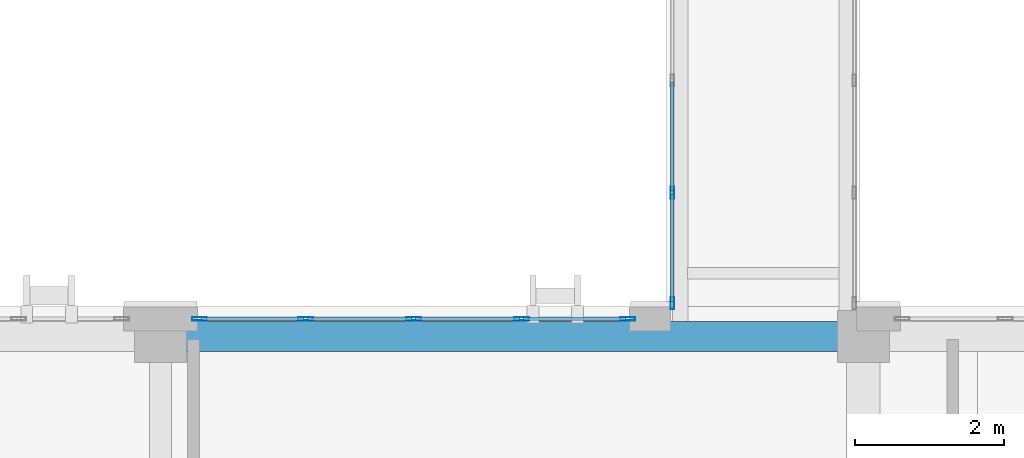
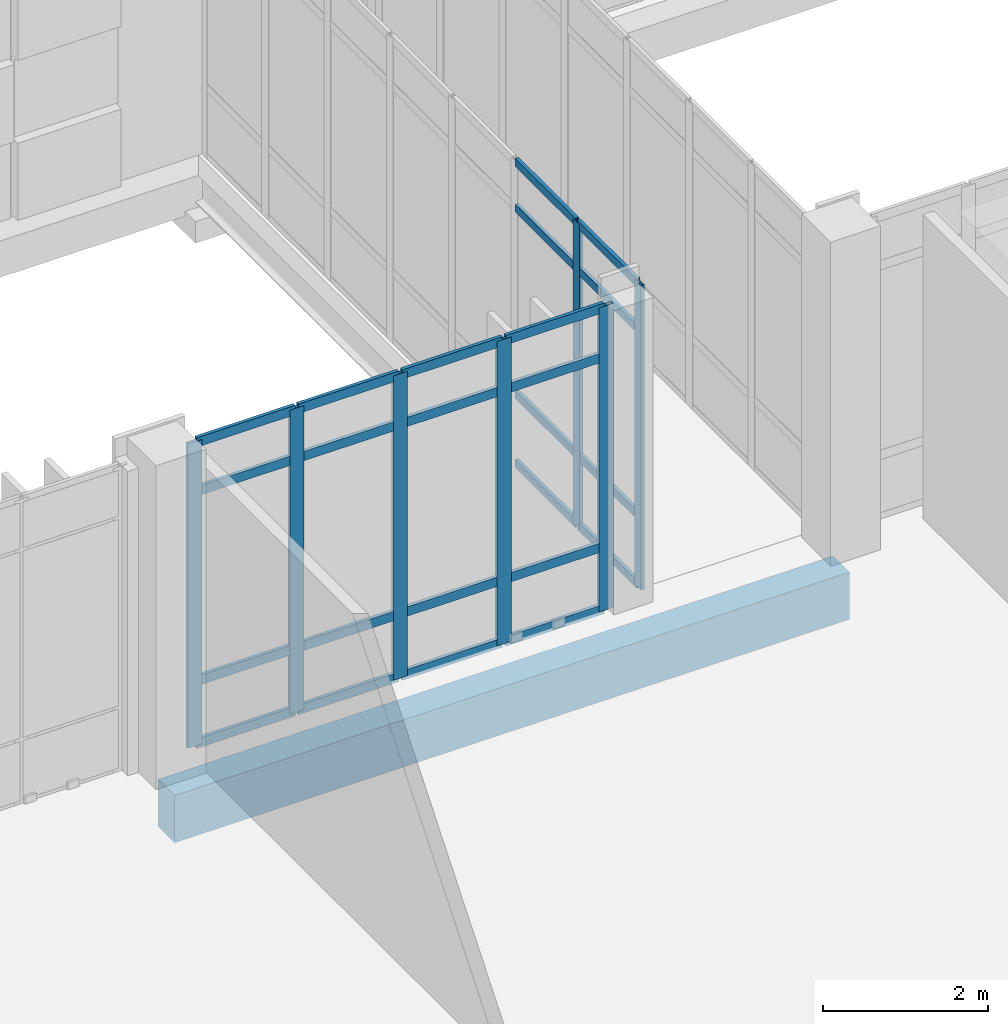
# One storey, part 40 of 189: 31 members, 1 beam, 2 elements without a shape of their own.
"""IFC4 building model written with IfcOpenShell, lengths in metres."""

import ifcopenshell
import ifcopenshell.guid

model = None  # the IFC model being written
_history = None  # IfcOwnerHistory: only IFC2X3 demands one
_inside = {}  # id of a spatial element -> (the spatial element, [elements in it])
_under = {}  # id of a project, library or spatial element -> (it, [spatial elements below it])
_declared = {}  # id of a project -> (the project, [libraries it declares])
_typed = {}  # id of a type object -> (the type object, [elements of that type])
_made_of = {}  # id of a material, layer set ... -> (it, [elements and type objects made of it])


def new_model(schema):
    """Start an empty IFC model of exactly this schema.

    Asked for "IFC4X3", IfcOpenShell would pick the latest addendum, in which some entities
    have other attributes; the version numbers below select the first issue.
    IFC2X3 requires an IfcOwnerHistory on every rooted entity: one is made here for all.
    """
    global model, _history
    if schema == "IFC4X3":
        model = ifcopenshell.file(schema_version=(4, 3, 0, 0))
    else:
        model = ifcopenshell.file(schema=schema)
    _inside.clear()
    _under.clear()
    _declared.clear()
    _typed.clear()
    _made_of.clear()
    _history = None
    if model.schema == "IFC2X3":
        org = make("IfcOrganization", Name="unknown")
        user = make(
            "IfcPersonAndOrganization",
            ThePerson=make("IfcPerson", FamilyName="unknown"),
            TheOrganization=org,
        )
        app = make(
            "IfcApplication",
            ApplicationDeveloper=org,
            Version="unknown",
            ApplicationFullName="unknown",
            ApplicationIdentifier="unknown",
        )
        _history = make(
            "IfcOwnerHistory",
            OwningUser=user,
            OwningApplication=app,
            ChangeAction="ADDED",
            CreationDate=0,
        )
    return model


def make(cls, **values):
    """One entity of the class cls with the attributes given. An attribute that is None is left unset."""
    return model.create_entity(
        cls, **{name: value for name, value in values.items() if value is not None}
    )


def rooted(cls, **values):
    """An entity with a GlobalId (a new one), such as an element, a storey or a relation."""
    return make(cls, GlobalId=ifcopenshell.guid.new(), OwnerHistory=_history, **values)


def si_unit(unit_type, name, prefix=None):
    """IfcSIUnit, for example si_unit("LENGTHUNIT", "METRE", prefix="MILLI")."""
    return make("IfcSIUnit", UnitType=unit_type, Prefix=prefix, Name=name)


def assignment(units):
    """IfcUnitAssignment: the units of a project."""
    return None if units is None else make("IfcUnitAssignment", Units=units)


def point(xyz):
    """IfcCartesianPoint."""
    return None if xyz is None else make("IfcCartesianPoint", Coordinates=xyz)


def direction(xyz):
    """IfcDirection."""
    return None if xyz is None else make("IfcDirection", DirectionRatios=xyz)


def frame(location, z_axis=None, x_axis=None):
    """IfcAxis2Placement3D, a coordinate frame: its origin and axes. An axis left out is left unset."""
    return make(
        "IfcAxis2Placement3D",
        Location=point(location),
        Axis=direction(z_axis),
        RefDirection=direction(x_axis),
    )


def frame_2d(location, x_axis=None):
    """IfcAxis2Placement2D, a coordinate frame in the plane: its origin and x axis."""
    return make(
        "IfcAxis2Placement2D", Location=point(location), RefDirection=direction(x_axis)
    )


def origin():
    """The frame at (0, 0, 0) with its axes left unset."""
    return frame((0.0, 0.0, 0.0))


def origin_2d():
    """The frame at (0, 0) in the plane with its x axis left unset."""
    return frame_2d((0.0, 0.0))


def place(relative_to, where):
    """IfcLocalPlacement: puts the frame where relative to a parent placement (None: the world)."""
    return make(
        "IfcLocalPlacement", PlacementRelTo=relative_to, RelativePlacement=where
    )


def context(
    kind, dimensions, precision=None, world=None, true_north=None, identifier=None
):
    """IfcGeometricRepresentationContext, for example the 3D "Model" context."""
    return make(
        "IfcGeometricRepresentationContext",
        ContextIdentifier=identifier,
        ContextType=kind,
        CoordinateSpaceDimension=dimensions,
        Precision=precision,
        WorldCoordinateSystem=world,
        TrueNorth=true_north,
    )


def subcontext(parent, identifier, kind, view, scale=None):
    """IfcGeometricRepresentationSubContext, for example "Body" below "Model"."""
    return make(
        "IfcGeometricRepresentationSubContext",
        ContextIdentifier=identifier,
        ContextType=kind,
        ParentContext=parent,
        TargetScale=scale,
        TargetView=view,
    )


def project(units=None, contexts=None):
    """IfcProject with its units and contexts."""
    return rooted(
        "IfcProject",
        Name="project",
        RepresentationContexts=contexts,
        UnitsInContext=assignment(units),
    )


def spatial(cls, under=None, at=None, **own):
    """A site, building, storey or space (cls), placed at a placement, below another one or the project."""
    s = rooted(cls, ObjectPlacement=at, **own)
    if under is not None:
        _under.setdefault(under.id(), (under, []))[1].append(s)
    return s


def profile(cls, at=None, kind="AREA", **sizes):
    """A parametric profile (cls). Its sizes go by their IFC names, for example OverallWidth=200.0."""
    return make(cls, ProfileType=kind, Position=at, **sizes)


def rectangle(**sizes):
    """IfcRectangleProfileDef."""
    return profile("IfcRectangleProfileDef", **sizes)


def hollow_rectangle(**sizes):
    """IfcRectangleHollowProfileDef."""
    return profile("IfcRectangleHollowProfileDef", **sizes)


def extrude(swept, where, along, depth):
    """IfcExtrudedAreaSolid: the profile swept, set in the frame where, extruded along a direction by depth."""
    return make(
        "IfcExtrudedAreaSolid",
        SweptArea=swept,
        Position=where,
        ExtrudedDirection=direction(along),
        Depth=depth,
    )


def shape(context_of_items, identifier, shape_type, items):
    """IfcShapeRepresentation: the items that make up one representation, for example the "Body"."""
    return make(
        "IfcShapeRepresentation",
        ContextOfItems=context_of_items,
        RepresentationIdentifier=identifier,
        RepresentationType=shape_type,
        Items=items,
    )


def material(Name=None, Category=None):
    """IfcMaterial."""
    return make("IfcMaterial", Name=Name, Category=Category)


def layer(
    of_material, thickness, ventilated=None, Name=None, Category=None, Priority=None
):
    """IfcMaterialLayer: one layer of a wall or slab, of a material (None: an air gap)."""
    return make(
        "IfcMaterialLayer",
        Material=of_material,
        LayerThickness=thickness,
        IsVentilated=ventilated,
        Name=Name,
        Category=Category,
        Priority=Priority,
    )


def layer_set(layers, Name=None):
    """IfcMaterialLayerSet."""
    return make("IfcMaterialLayerSet", MaterialLayers=layers, LayerSetName=Name)


def material_profile(
    of_material, cross_section, Name=None, Category=None, Priority=None
):
    """IfcMaterialProfile: a cross section and its material."""
    return make(
        "IfcMaterialProfile",
        Name=Name,
        Material=of_material,
        Profile=cross_section,
        Priority=Priority,
        Category=Category,
    )


def profile_set(profiles, Name=None, composite=None):
    """IfcMaterialProfileSet."""
    return make(
        "IfcMaterialProfileSet",
        Name=Name,
        MaterialProfiles=profiles,
        CompositeProfile=composite,
    )


def made_of(thing, what):
    """Note that an element or type object is made of a material, layer set ...; save() writes the relation."""
    if what is not None:
        _made_of.setdefault(what.id(), (what, []))[1].append(thing)
    return thing


def type_object(cls, material=None, **own):
    """A type object (cls), such as IfcWallType, which elements share."""
    return made_of(rooted(cls, **own), material)


def element(
    cls,
    number,
    at=None,
    inside=None,
    cuts=None,
    type_object=None,
    material=None,
    context=None,
    identifier="Body",
    shape_type=None,
    held_by="IfcProductDefinitionShape",
    body=None,
    shapes=None,
    **own,
):
    """One element of the class cls, such as IfcWall. Its Tag is "e" and its number.

    at: its placement. inside: the storey or other place that contains it. cuts: it is an
    opening in that element (IfcRelVoidsElement). A single representation is given by context,
    identifier, shape_type and body (its items); several are given by shapes. held_by: the class
    of the entity that holds the representations. save() writes the other relations.
    """
    e = rooted(cls, Tag="e%d" % number, ObjectPlacement=at, **own)
    if body is not None:
        shapes = [shape(context, identifier, shape_type, body)]
    if shapes is not None:
        e.Representation = make(held_by, Representations=shapes)
    if inside is not None:
        _inside.setdefault(inside.id(), (inside, []))[1].append(e)
    if cuts is not None:
        rooted(
            "IfcRelVoidsElement", RelatingBuildingElement=cuts, RelatedOpeningElement=e
        )
    if type_object is not None:
        _typed.setdefault(type_object.id(), (type_object, []))[1].append(e)
    return made_of(e, material)


def aggregate(whole, parts):
    """IfcRelAggregates: a whole, such as a stair, and the parts it consists of."""
    return rooted("IfcRelAggregates", RelatingObject=whole, RelatedObjects=parts)


def save(model, path):
    """Write the relations noted so far, then the file.

    IfcRelAggregates (storeys below a building ...), IfcRelContainedInSpatialStructure (elements
    in a storey), IfcRelDefinesByType, IfcRelAssociatesMaterial and IfcRelDeclares: one each for
    every whole, place, type object, material and project.
    """
    for whole, parts in _under.values():
        aggregate(whole, parts)
    for where, things in _inside.values():
        rooted(
            "IfcRelContainedInSpatialStructure",
            RelatedElements=things,
            RelatingStructure=where,
        )
    for kind, things in _typed.values():
        rooted("IfcRelDefinesByType", RelatedObjects=things, RelatingType=kind)
    for what, things in _made_of.values():
        rooted("IfcRelAssociatesMaterial", RelatedObjects=things, RelatingMaterial=what)
    for by, libraries in _declared.values():
        rooted("IfcRelDeclares", RelatingContext=by, RelatedDefinitions=libraries)
    model.write(path)


model = new_model("IFC4")

# Units and contexts
model_context = context("Model", 3, precision=1e-05, world=origin(), true_north=direction((0.0, 1.0)))
body_context = subcontext(model_context, "Body", "Model", "MODEL_VIEW")
ifc_project = project(units=[si_unit("LENGTHUNIT", "METRE"), si_unit("AREAUNIT", "SQUARE_METRE"), si_unit("VOLUMEUNIT", "CUBIC_METRE"), si_unit("PLANEANGLEUNIT", "RADIAN"), si_unit("MASSUNIT", "GRAM", prefix="KILO")], contexts=[model_context])

# Site, building, storey
site_placement = place(None, origin())
site = spatial("IfcSite", under=ifc_project, at=site_placement, CompositionType="ELEMENT")
building_placement = place(site_placement, origin())
building = spatial("IfcBuilding", under=site, at=building_placement, Name="Qalavern Law Courts", CompositionType="ELEMENT")
storey_placement = place(building_placement, frame((0.0, 0.0, 5.39990234375)))
storey = spatial("IfcBuildingStorey", under=building, at=storey_placement, Name="L01", CompositionType="ELEMENT", Elevation=5.39990234375)

# Curtain wall, members
ifc_material_1 = material(Name="Anodised aluminium and insulated glazing", Category="aluminium")
ifc_layer_1 = layer(ifc_material_1, 0.14990234375)
ifc_layer_set_1 = layer_set([ifc_layer_1], Name="Anodised aluminium and insulated glazing")
curtain_wall_type_1 = type_object("IfcCurtainWallType", Name="ENV-CW-BRG", PredefinedType="USERDEFINED", material=ifc_layer_set_1)
curtain_wall_1_placement = place(storey_placement, origin())
curtain_wall_1 = element("IfcCurtainWall", 1, at=curtain_wall_1_placement, inside=storey, type_object=curtain_wall_type_1, Name="Bridge BR-V2-V4 glazed curtain wall L01-1", ObjectType="UNITISED CURTAIN WALL", PredefinedType="USERDEFINED")
ifc_material_2 = material(Name="Anodised aluminium", Category="aluminium")
ifc_material_profile_1 = material_profile(ifc_material_2, hollow_rectangle(XDim=0.048095703125, YDim=0.159912109375, WallThickness=0.00390625, at=origin_2d()), Name="ALU MULLION 48x160")
ifc_profile_set_1 = profile_set([ifc_material_profile_1], Name="Anodised aluminium")
member_type_1 = type_object("IfcMemberType", Name="ENV-CWM-48x160", PredefinedType="MULLION", material=ifc_profile_set_1)
member_1_placement = place(storey_placement, frame((88.77490234375, 31.931396484375, 0.0), z_axis=(0.0, 0.0, 1.0), x_axis=(1.0, 0.0, 0.0)))
member_1 = element("IfcMember", 2, at=member_1_placement, type_object=member_type_1, Name="CW-06 mullion 7", PredefinedType="MULLION", context=body_context, shape_type="SweptSolid", body=[
    extrude(hollow_rectangle(XDim=0.048095703125, YDim=0.159912109375, WallThickness=0.00390625, at=origin_2d()), origin(), (0.0, 0.0, 1.0), 4.510009765625),
])
member_2_placement = place(storey_placement, frame((88.77490234375, 30.444091796875, 0.0), z_axis=(0.0, 0.0, 1.0), x_axis=(1.0, 0.0, 0.0)))
member_2 = element("IfcMember", 3, at=member_2_placement, type_object=member_type_1, Name="CW-06 mullion 8", PredefinedType="MULLION", context=body_context, shape_type="SweptSolid", body=[
    extrude(hollow_rectangle(XDim=0.048095703125, YDim=0.159912109375, WallThickness=0.00390625, at=origin_2d()), origin(), (0.0, 0.0, 1.0), 4.510009765625),
])

ifc_layer_2 = layer(ifc_material_1, 0.18505859375)
ifc_layer_set_2 = layer_set([ifc_layer_2], Name="Anodised aluminium and insulated glazing")
curtain_wall_type_2 = type_object("IfcCurtainWallType", Name="ENV-CW-HALL", PredefinedType="USERDEFINED", material=ifc_layer_set_2)
curtain_wall_2_placement = place(storey_placement, origin())
curtain_wall_2 = element("IfcCurtainWall", 4, at=curtain_wall_2_placement, inside=storey, type_object=curtain_wall_type_2, Name="V2 unitised curtain wall L01 north 1", ObjectType="UNITISED CURTAIN WALL", PredefinedType="USERDEFINED")
ifc_material_profile_2 = material_profile(ifc_material_2, hollow_rectangle(XDim=0.048095703125, YDim=0.199951171875, WallThickness=0.00439453125, at=origin_2d()), Name="ALU MULLION 48x200")
ifc_profile_set_2 = profile_set([ifc_material_profile_2], Name="Anodised aluminium")
member_type_2 = type_object("IfcMemberType", Name="ENV-CWM-48x200", PredefinedType="MULLION", material=ifc_profile_set_2)
member_3_placement = place(storey_placement, frame((88.176025390625, 30.237548828125, 0.0), z_axis=(0.0, 0.0, 1.0), x_axis=(0.0, -1.0, 0.0)))
member_3 = element("IfcMember", 5, at=member_3_placement, type_object=member_type_2, Name="CW-02 mullion 1", PredefinedType="MULLION", context=body_context, shape_type="SweptSolid", body=[
    extrude(hollow_rectangle(XDim=0.048095703125, YDim=0.199951171875, WallThickness=0.00439453125, at=origin_2d()), origin(), (0.0, 0.0, 1.0), 4.510009765625),
])
member_4_placement = place(storey_placement, frame((86.747802734375, 30.237548828125, 0.0), z_axis=(0.0, 0.0, 1.0), x_axis=(0.0, -1.0, 0.0)))
member_4 = element("IfcMember", 6, at=member_4_placement, type_object=member_type_2, Name="CW-02 mullion 2", PredefinedType="MULLION", context=body_context, shape_type="SweptSolid", body=[
    extrude(hollow_rectangle(XDim=0.048095703125, YDim=0.199951171875, WallThickness=0.00439453125, at=origin_2d()), origin(), (0.0, 0.0, 1.0), 4.510009765625),
])
member_5_placement = place(storey_placement, frame((85.295654296875, 30.237548828125, 0.0), z_axis=(0.0, 0.0, 1.0), x_axis=(0.0, -1.0, 0.0)))
member_5 = element("IfcMember", 7, at=member_5_placement, type_object=member_type_2, Name="CW-02 mullion 3", PredefinedType="MULLION", context=body_context, shape_type="SweptSolid", body=[
    extrude(hollow_rectangle(XDim=0.048095703125, YDim=0.199951171875, WallThickness=0.00439453125, at=origin_2d()), origin(), (0.0, 0.0, 1.0), 4.510009765625),
])
member_6_placement = place(storey_placement, frame((83.843505859375, 30.237548828125, 0.0), z_axis=(0.0, 0.0, 1.0), x_axis=(0.0, -1.0, 0.0)))
member_6 = element("IfcMember", 8, at=member_6_placement, type_object=member_type_2, Name="CW-02 mullion 4", PredefinedType="MULLION", context=body_context, shape_type="SweptSolid", body=[
    extrude(hollow_rectangle(XDim=0.048095703125, YDim=0.199951171875, WallThickness=0.00439453125, at=origin_2d()), origin(), (0.0, 0.0, 1.0), 4.510009765625),
])
member_7_placement = place(storey_placement, frame((82.415283203125, 30.237548828125, 0.0), z_axis=(0.0, 0.0, 1.0), x_axis=(0.0, -1.0, 0.0)))
member_7 = element("IfcMember", 9, at=member_7_placement, type_object=member_type_2, Name="CW-02 mullion 5", PredefinedType="MULLION", context=body_context, shape_type="SweptSolid", body=[
    extrude(hollow_rectangle(XDim=0.048095703125, YDim=0.199951171875, WallThickness=0.00439453125, at=origin_2d()), origin(), (0.0, 0.0, 1.0), 4.510009765625),
])

# Member
ifc_material_profile_3 = material_profile(ifc_material_2, hollow_rectangle(XDim=0.048095703125, YDim=0.1201171875, WallThickness=0.00390625, at=origin_2d()), Name="ALU TRANSOM 48x120")
ifc_profile_set_3 = profile_set([ifc_material_profile_3], Name="Anodised aluminium")
member_type_3 = type_object("IfcMemberType", Name="ENV-CWT-48x120", PredefinedType="USERDEFINED", material=ifc_profile_set_3)
member_8_placement = place(storey_placement, frame((88.77490234375, 33.4189453125, 0.024169921875), z_axis=(0.0, -1.0, 0.0), x_axis=(1.0, 0.0, 0.0)))
member_8 = element("IfcMember", 10, at=member_8_placement, type_object=member_type_3, Name="CW-06 transom 6.1", ObjectType="TRANSOM", PredefinedType="USERDEFINED", context=body_context, shape_type="SweptSolid", body=[
    extrude(hollow_rectangle(XDim=0.048095703125, YDim=0.1201171875, WallThickness=0.00390625, at=origin_2d()), origin(), (0.0, 0.0, 1.0), 1.463623046875),
])

member_9_placement = place(storey_placement, frame((88.77490234375, 33.4189453125, 1.050048828125), z_axis=(0.0, -1.0, 0.0), x_axis=(1.0, 0.0, 0.0)))
member_9 = element("IfcMember", 11, at=member_9_placement, type_object=member_type_3, Name="CW-06 transom 6.2", ObjectType="TRANSOM", PredefinedType="USERDEFINED", context=body_context, shape_type="SweptSolid", body=[
    extrude(hollow_rectangle(XDim=0.048095703125, YDim=0.1201171875, WallThickness=0.00390625, at=origin_2d()), origin(), (0.0, 0.0, 1.0), 1.463623046875),
])

member_10_placement = place(storey_placement, frame((88.77490234375, 33.4189453125, 3.81005859375), z_axis=(0.0, -1.0, 0.0), x_axis=(1.0, 0.0, 0.0)))
member_10 = element("IfcMember", 12, at=member_10_placement, type_object=member_type_3, Name="CW-06 transom 6.3", ObjectType="TRANSOM", PredefinedType="USERDEFINED", context=body_context, shape_type="SweptSolid", body=[
    extrude(hollow_rectangle(XDim=0.048095703125, YDim=0.1201171875, WallThickness=0.00390625, at=origin_2d()), origin(), (0.0, 0.0, 1.0), 1.463623046875),
])

member_11_placement = place(storey_placement, frame((88.77490234375, 33.4189453125, 4.486083984375), z_axis=(0.0, -1.0, 0.0), x_axis=(1.0, 0.0, 0.0)))
member_11 = element("IfcMember", 13, at=member_11_placement, type_object=member_type_3, Name="CW-06 transom 6.4", ObjectType="TRANSOM", PredefinedType="USERDEFINED", context=body_context, shape_type="SweptSolid", body=[
    extrude(hollow_rectangle(XDim=0.048095703125, YDim=0.1201171875, WallThickness=0.00390625, at=origin_2d()), origin(), (0.0, 0.0, 1.0), 1.463623046875),
])

member_12_placement = place(storey_placement, frame((88.77490234375, 31.907470703125, 0.024169921875), z_axis=(0.0, -1.0, 0.0), x_axis=(1.0, 0.0, 0.0)))
member_12 = element("IfcMember", 14, at=member_12_placement, type_object=member_type_3, Name="CW-06 transom 7.1", ObjectType="TRANSOM", PredefinedType="USERDEFINED", context=body_context, shape_type="SweptSolid", body=[
    extrude(hollow_rectangle(XDim=0.048095703125, YDim=0.1201171875, WallThickness=0.00390625, at=origin_2d()), origin(), (0.0, 0.0, 1.0), 1.439453125),
])

member_13_placement = place(storey_placement, frame((88.77490234375, 31.907470703125, 1.050048828125), z_axis=(0.0, -1.0, 0.0), x_axis=(1.0, 0.0, 0.0)))
member_13 = element("IfcMember", 15, at=member_13_placement, type_object=member_type_3, Name="CW-06 transom 7.2", ObjectType="TRANSOM", PredefinedType="USERDEFINED", context=body_context, shape_type="SweptSolid", body=[
    extrude(hollow_rectangle(XDim=0.048095703125, YDim=0.1201171875, WallThickness=0.00390625, at=origin_2d()), origin(), (0.0, 0.0, 1.0), 1.439453125),
])

member_14_placement = place(storey_placement, frame((88.77490234375, 31.907470703125, 3.81005859375), z_axis=(0.0, -1.0, 0.0), x_axis=(1.0, 0.0, 0.0)))
member_14 = element("IfcMember", 16, at=member_14_placement, type_object=member_type_3, Name="CW-06 transom 7.3", ObjectType="TRANSOM", PredefinedType="USERDEFINED", context=body_context, shape_type="SweptSolid", body=[
    extrude(hollow_rectangle(XDim=0.048095703125, YDim=0.1201171875, WallThickness=0.00390625, at=origin_2d()), origin(), (0.0, 0.0, 1.0), 1.439453125),
])

member_15_placement = place(storey_placement, frame((88.77490234375, 31.907470703125, 4.486083984375), z_axis=(0.0, -1.0, 0.0), x_axis=(1.0, 0.0, 0.0)))
member_15 = element("IfcMember", 17, at=member_15_placement, type_object=member_type_3, Name="CW-06 transom 7.4", ObjectType="TRANSOM", PredefinedType="USERDEFINED", context=body_context, shape_type="SweptSolid", body=[
    extrude(hollow_rectangle(XDim=0.048095703125, YDim=0.1201171875, WallThickness=0.00390625, at=origin_2d()), origin(), (0.0, 0.0, 1.0), 1.439453125),
])

aggregate(curtain_wall_1, [member_1, member_2, member_8, member_9, member_10, member_11, member_12, member_13, member_14, member_15])

ifc_material_profile_4 = material_profile(ifc_material_2, hollow_rectangle(XDim=0.048095703125, YDim=0.139892578125, WallThickness=0.00390625, at=origin_2d()), Name="ALU TRANSOM 48x140")
ifc_profile_set_4 = profile_set([ifc_material_profile_4], Name="Anodised aluminium")
member_type_4 = type_object("IfcMemberType", Name="ENV-CWT-48x140", PredefinedType="USERDEFINED", material=ifc_profile_set_4)
member_16_placement = place(storey_placement, frame((88.152099609375, 30.237548828125, 0.024169921875), z_axis=(-1.0, 0.0, 0.0), x_axis=(0.0, -1.0, 0.0)))
member_16 = element("IfcMember", 18, at=member_16_placement, type_object=member_type_4, Name="CW-02 transom 1.1", ObjectType="TRANSOM", PredefinedType="USERDEFINED", context=body_context, shape_type="SweptSolid", body=[
    extrude(hollow_rectangle(XDim=0.048095703125, YDim=0.139892578125, WallThickness=0.00390625, at=origin_2d()), origin(), (0.0, 0.0, 1.0), 1.38037109375),
])

member_17_placement = place(storey_placement, frame((88.152099609375, 30.237548828125, 0.9501953125), z_axis=(-1.0, 0.0, 0.0), x_axis=(0.0, -1.0, 0.0)))
member_17 = element("IfcMember", 19, at=member_17_placement, type_object=member_type_4, Name="CW-02 transom 1.2", ObjectType="TRANSOM", PredefinedType="USERDEFINED", context=body_context, shape_type="SweptSolid", body=[
    extrude(hollow_rectangle(XDim=0.048095703125, YDim=0.139892578125, WallThickness=0.00390625, at=origin_2d()), origin(), (0.0, 0.0, 1.0), 1.38037109375),
])

member_18_placement = place(storey_placement, frame((88.152099609375, 30.237548828125, 3.760009765625), z_axis=(-1.0, 0.0, 0.0), x_axis=(0.0, -1.0, 0.0)))
member_18 = element("IfcMember", 20, at=member_18_placement, type_object=member_type_4, Name="CW-02 transom 1.3", ObjectType="TRANSOM", PredefinedType="USERDEFINED", context=body_context, shape_type="SweptSolid", body=[
    extrude(hollow_rectangle(XDim=0.048095703125, YDim=0.139892578125, WallThickness=0.00390625, at=origin_2d()), origin(), (0.0, 0.0, 1.0), 1.38037109375),
])

member_19_placement = place(storey_placement, frame((88.152099609375, 30.237548828125, 4.486083984375), z_axis=(-1.0, 0.0, 0.0), x_axis=(0.0, -1.0, 0.0)))
member_19 = element("IfcMember", 21, at=member_19_placement, type_object=member_type_4, Name="CW-02 transom 1.4", ObjectType="TRANSOM", PredefinedType="USERDEFINED", context=body_context, shape_type="SweptSolid", body=[
    extrude(hollow_rectangle(XDim=0.048095703125, YDim=0.139892578125, WallThickness=0.00390625, at=origin_2d()), origin(), (0.0, 0.0, 1.0), 1.38037109375),
])

member_20_placement = place(storey_placement, frame((86.723876953125, 30.237548828125, 0.024169921875), z_axis=(-1.0, 0.0, 0.0), x_axis=(0.0, -1.0, 0.0)))
member_20 = element("IfcMember", 22, at=member_20_placement, type_object=member_type_4, Name="CW-02 transom 2.1", ObjectType="TRANSOM", PredefinedType="USERDEFINED", context=body_context, shape_type="SweptSolid", body=[
    extrude(hollow_rectangle(XDim=0.048095703125, YDim=0.139892578125, WallThickness=0.00390625, at=origin_2d()), origin(), (0.0, 0.0, 1.0), 1.404296875),
])

member_21_placement = place(storey_placement, frame((86.723876953125, 30.237548828125, 0.9501953125), z_axis=(-1.0, 0.0, 0.0), x_axis=(0.0, -1.0, 0.0)))
member_21 = element("IfcMember", 23, at=member_21_placement, type_object=member_type_4, Name="CW-02 transom 2.2", ObjectType="TRANSOM", PredefinedType="USERDEFINED", context=body_context, shape_type="SweptSolid", body=[
    extrude(hollow_rectangle(XDim=0.048095703125, YDim=0.139892578125, WallThickness=0.00390625, at=origin_2d()), origin(), (0.0, 0.0, 1.0), 1.404296875),
])

member_22_placement = place(storey_placement, frame((86.723876953125, 30.237548828125, 3.760009765625), z_axis=(-1.0, 0.0, 0.0), x_axis=(0.0, -1.0, 0.0)))
member_22 = element("IfcMember", 24, at=member_22_placement, type_object=member_type_4, Name="CW-02 transom 2.3", ObjectType="TRANSOM", PredefinedType="USERDEFINED", context=body_context, shape_type="SweptSolid", body=[
    extrude(hollow_rectangle(XDim=0.048095703125, YDim=0.139892578125, WallThickness=0.00390625, at=origin_2d()), origin(), (0.0, 0.0, 1.0), 1.404296875),
])

member_23_placement = place(storey_placement, frame((86.723876953125, 30.237548828125, 4.486083984375), z_axis=(-1.0, 0.0, 0.0), x_axis=(0.0, -1.0, 0.0)))
member_23 = element("IfcMember", 25, at=member_23_placement, type_object=member_type_4, Name="CW-02 transom 2.4", ObjectType="TRANSOM", PredefinedType="USERDEFINED", context=body_context, shape_type="SweptSolid", body=[
    extrude(hollow_rectangle(XDim=0.048095703125, YDim=0.139892578125, WallThickness=0.00390625, at=origin_2d()), origin(), (0.0, 0.0, 1.0), 1.404296875),
])

member_24_placement = place(storey_placement, frame((85.271728515625, 30.237548828125, 0.024169921875), z_axis=(-1.0, 0.0, 0.0), x_axis=(0.0, -1.0, 0.0)))
member_24 = element("IfcMember", 26, at=member_24_placement, type_object=member_type_4, Name="CW-02 transom 3.1", ObjectType="TRANSOM", PredefinedType="USERDEFINED", context=body_context, shape_type="SweptSolid", body=[
    extrude(hollow_rectangle(XDim=0.048095703125, YDim=0.139892578125, WallThickness=0.00390625, at=origin_2d()), origin(), (0.0, 0.0, 1.0), 1.404296875),
])

member_25_placement = place(storey_placement, frame((85.271728515625, 30.237548828125, 0.9501953125), z_axis=(-1.0, 0.0, 0.0), x_axis=(0.0, -1.0, 0.0)))
member_25 = element("IfcMember", 27, at=member_25_placement, type_object=member_type_4, Name="CW-02 transom 3.2", ObjectType="TRANSOM", PredefinedType="USERDEFINED", context=body_context, shape_type="SweptSolid", body=[
    extrude(hollow_rectangle(XDim=0.048095703125, YDim=0.139892578125, WallThickness=0.00390625, at=origin_2d()), origin(), (0.0, 0.0, 1.0), 1.404296875),
])

member_26_placement = place(storey_placement, frame((85.271728515625, 30.237548828125, 3.760009765625), z_axis=(-1.0, 0.0, 0.0), x_axis=(0.0, -1.0, 0.0)))
member_26 = element("IfcMember", 28, at=member_26_placement, type_object=member_type_4, Name="CW-02 transom 3.3", ObjectType="TRANSOM", PredefinedType="USERDEFINED", context=body_context, shape_type="SweptSolid", body=[
    extrude(hollow_rectangle(XDim=0.048095703125, YDim=0.139892578125, WallThickness=0.00390625, at=origin_2d()), origin(), (0.0, 0.0, 1.0), 1.404296875),
])

member_27_placement = place(storey_placement, frame((85.271728515625, 30.237548828125, 4.486083984375), z_axis=(-1.0, 0.0, 0.0), x_axis=(0.0, -1.0, 0.0)))
member_27 = element("IfcMember", 29, at=member_27_placement, type_object=member_type_4, Name="CW-02 transom 3.4", ObjectType="TRANSOM", PredefinedType="USERDEFINED", context=body_context, shape_type="SweptSolid", body=[
    extrude(hollow_rectangle(XDim=0.048095703125, YDim=0.139892578125, WallThickness=0.00390625, at=origin_2d()), origin(), (0.0, 0.0, 1.0), 1.404296875),
])

member_28_placement = place(storey_placement, frame((83.819580078125, 30.237548828125, 0.024169921875), z_axis=(-1.0, 0.0, 0.0), x_axis=(0.0, -1.0, 0.0)))
member_28 = element("IfcMember", 30, at=member_28_placement, type_object=member_type_4, Name="CW-02 transom 4.1", ObjectType="TRANSOM", PredefinedType="USERDEFINED", context=body_context, shape_type="SweptSolid", body=[
    extrude(hollow_rectangle(XDim=0.048095703125, YDim=0.139892578125, WallThickness=0.00390625, at=origin_2d()), origin(), (0.0, 0.0, 1.0), 1.380126953125),
])

member_29_placement = place(storey_placement, frame((83.819580078125, 30.237548828125, 0.9501953125), z_axis=(-1.0, 0.0, 0.0), x_axis=(0.0, -1.0, 0.0)))
member_29 = element("IfcMember", 31, at=member_29_placement, type_object=member_type_4, Name="CW-02 transom 4.2", ObjectType="TRANSOM", PredefinedType="USERDEFINED", context=body_context, shape_type="SweptSolid", body=[
    extrude(hollow_rectangle(XDim=0.048095703125, YDim=0.139892578125, WallThickness=0.00390625, at=origin_2d()), origin(), (0.0, 0.0, 1.0), 1.380126953125),
])

member_30_placement = place(storey_placement, frame((83.819580078125, 30.237548828125, 3.760009765625), z_axis=(-1.0, 0.0, 0.0), x_axis=(0.0, -1.0, 0.0)))
member_30 = element("IfcMember", 32, at=member_30_placement, type_object=member_type_4, Name="CW-02 transom 4.3", ObjectType="TRANSOM", PredefinedType="USERDEFINED", context=body_context, shape_type="SweptSolid", body=[
    extrude(hollow_rectangle(XDim=0.048095703125, YDim=0.139892578125, WallThickness=0.00390625, at=origin_2d()), origin(), (0.0, 0.0, 1.0), 1.380126953125),
])

member_31_placement = place(storey_placement, frame((83.819580078125, 30.237548828125, 4.486083984375), z_axis=(-1.0, 0.0, 0.0), x_axis=(0.0, -1.0, 0.0)))
member_31 = element("IfcMember", 33, at=member_31_placement, type_object=member_type_4, Name="CW-02 transom 4.4", ObjectType="TRANSOM", PredefinedType="USERDEFINED", context=body_context, shape_type="SweptSolid", body=[
    extrude(hollow_rectangle(XDim=0.048095703125, YDim=0.139892578125, WallThickness=0.00390625, at=origin_2d()), origin(), (0.0, 0.0, 1.0), 1.380126953125),
])

aggregate(curtain_wall_2, [member_3, member_4, member_5, member_6, member_7, member_16, member_17, member_18, member_19, member_20, member_21, member_22, member_23, member_24, member_25, member_26, member_27, member_28, member_29, member_30, member_31])

# Beam
ifc_material_3 = material(Name="Concrete C40/50", Category="concrete")
ifc_material_profile_5 = material_profile(ifc_material_3, rectangle(XDim=0.39990234375, YDim=0.699951171875, at=origin_2d()), Name="RC 400x700")
ifc_profile_set_5 = profile_set([ifc_material_profile_5], Name="Concrete C40/50")
beam_type = type_object("IfcBeamType", Name="STR-SP-RC400x700", PredefinedType="SPANDREL", material=ifc_profile_set_5)
beam_placement = place(storey_placement, frame((81.891357421875, 30.0, -0.64990234375), z_axis=(1.0, 0.0, 0.0), x_axis=(0.0, 1.0, 0.0)))
element("IfcBeam", 34, at=beam_placement, inside=storey, type_object=beam_type, Name="V2 X-beam 4-6 L01", PredefinedType="SPANDREL", context=body_context, shape_type="SweptSolid", body=[
    extrude(rectangle(XDim=0.39990234375, YDim=0.699951171875, at=origin_2d()), origin(), (0.0, 0.0, 1.0), 9.454345703125),
])

save(model, "model.ifc")
